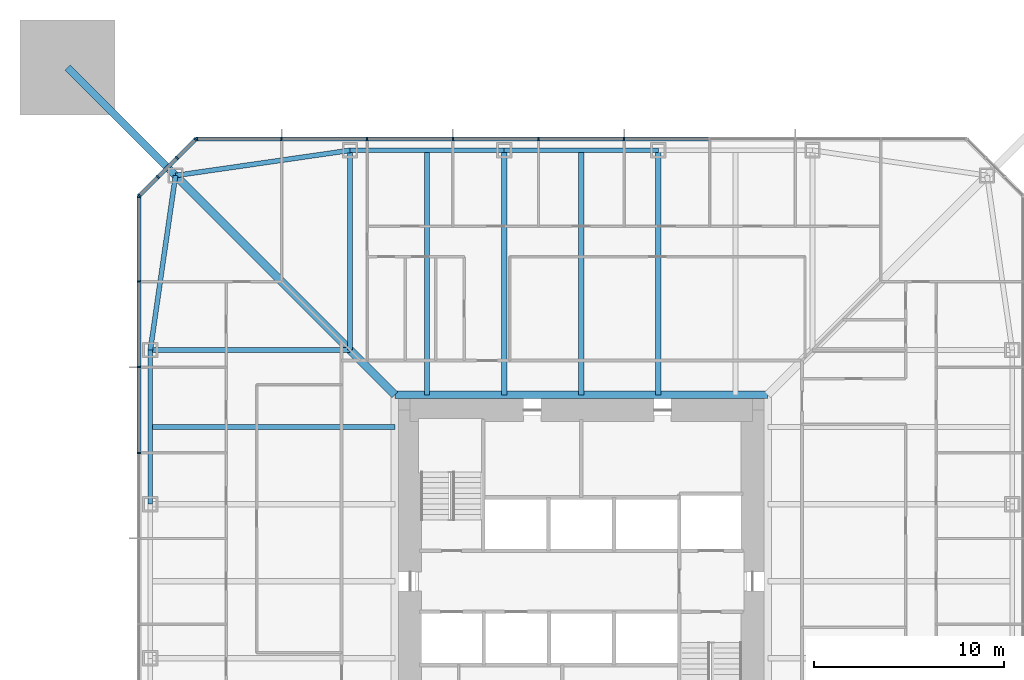
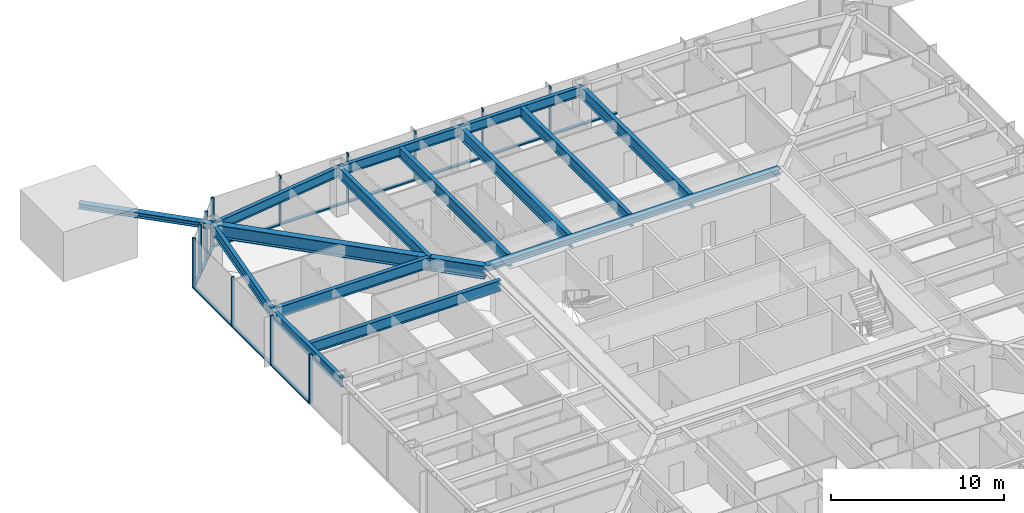
# One storey, part 6 of 26: 27 members, 14 beams, 3 elements without a shape of their own.
"""IFC4 building model written with IfcOpenShell, lengths in metres."""

from ifc_helpers import new_model, si_unit, direction, frame, origin, origin_2d, place, context, subcontext, project, spatial, rectangle, i_section, extrude, material, material_profile, profile_set, type_object, element, aggregate, save


model = new_model("IFC4")

# Units and contexts
model_context = context("Model", 3, precision=1e-05, world=origin(), true_north=direction((0.0, 1.0)))
body_context = subcontext(model_context, "Body", "Model", "MODEL_VIEW")
ifc_project = project(units=[si_unit("LENGTHUNIT", "METRE"), si_unit("AREAUNIT", "SQUARE_METRE"), si_unit("VOLUMEUNIT", "CUBIC_METRE"), si_unit("PLANEANGLEUNIT", "RADIAN"), si_unit("MASSUNIT", "GRAM", prefix="KILO")], contexts=[model_context])

# Site, building, storey
site_placement = place(None, origin())
site = spatial("IfcSite", under=ifc_project, at=site_placement, CompositionType="ELEMENT")
building_placement = place(site_placement, origin())
building = spatial("IfcBuilding", under=site, at=building_placement, Name="Iwan Alto Co-Living Towers", CompositionType="ELEMENT")
storey_placement = place(building_placement, frame((0.0, 0.0, 46.5)))
storey = spatial("IfcBuildingStorey", under=building, at=storey_placement, Name="L12", CompositionType="ELEMENT", Elevation=46.5)

# Curtain wall, members
ifc_material_1 = material(Name="Bronze aluminium unitised frame", Category="aluminium")
curtain_wall_type_1 = type_object("IfcCurtainWallType", Name="CURTAIN WALL CW-A", PredefinedType="NOTDEFINED", material=ifc_material_1)
curtain_wall_1_placement = place(storey_placement, origin())
curtain_wall_1 = element("IfcCurtainWall", 1, at=curtain_wall_1_placement, inside=storey, type_object=curtain_wall_type_1, Name="T1 curtain wall N L12", PredefinedType="NOTDEFINED")
ifc_material_2 = material(Name="Aluminium 6063-T6 bronze anodised", Category="aluminium")
ifc_material_profile_1 = material_profile(ifc_material_2, rectangle(XDim=0.199951171875, YDim=0.080078125, at=origin_2d()), Name="AL 80X200")
ifc_profile_set_1 = profile_set([ifc_material_profile_1], Name="Aluminium 6063-T6 bronze anodised")
member_type_1 = type_object("IfcMemberType", Name="CW-A MULLION 80X200", PredefinedType="MULLION", material=ifc_profile_set_1)
member_1_placement = place(storey_placement, frame((2.25, 23.25, 0.0), z_axis=(0.0, 0.0, 1.0), x_axis=(0.0, -1.0, 0.0)))
member_1 = element("IfcMember", 2, at=member_1_placement, type_object=member_type_1, Name="CW-A mullion 5", PredefinedType="MULLION", context=body_context, shape_type="SweptSolid", body=[
    extrude(rectangle(XDim=0.199951171875, YDim=0.080078125, at=origin_2d()), origin(), (0.0, 0.0, 1.0), 3.5),
])
member_2_placement = place(storey_placement, frame((-2.25, 23.25, 0.0), z_axis=(0.0, 0.0, 1.0), x_axis=(0.0, -1.0, 0.0)))
member_2 = element("IfcMember", 3, at=member_2_placement, type_object=member_type_1, Name="CW-A mullion 6", PredefinedType="MULLION", context=body_context, shape_type="SweptSolid", body=[
    extrude(rectangle(XDim=0.199951171875, YDim=0.080078125, at=origin_2d()), origin(), (0.0, 0.0, 1.0), 3.5),
])
member_3_placement = place(storey_placement, frame((-6.75, 23.25, 0.0), z_axis=(0.0, 0.0, 1.0), x_axis=(0.0, -1.0, 0.0)))
member_3 = element("IfcMember", 4, at=member_3_placement, type_object=member_type_1, Name="CW-A mullion 7", PredefinedType="MULLION", context=body_context, shape_type="SweptSolid", body=[
    extrude(rectangle(XDim=0.199951171875, YDim=0.080078125, at=origin_2d()), origin(), (0.0, 0.0, 1.0), 3.5),
])
member_4_placement = place(storey_placement, frame((-11.25, 23.25, 0.0), z_axis=(0.0, 0.0, 1.0), x_axis=(0.0, -1.0, 0.0)))
member_4 = element("IfcMember", 5, at=member_4_placement, type_object=member_type_1, Name="CW-A mullion 8", PredefinedType="MULLION", context=body_context, shape_type="SweptSolid", body=[
    extrude(rectangle(XDim=0.199951171875, YDim=0.080078125, at=origin_2d()), origin(), (0.0, 0.0, 1.0), 3.5),
])
member_5_placement = place(storey_placement, frame((-15.75, 23.25, 0.0), z_axis=(0.0, 0.0, 1.0), x_axis=(0.0, -1.0, 0.0)))
member_5 = element("IfcMember", 6, at=member_5_placement, type_object=member_type_1, Name="CW-A mullion 9", PredefinedType="MULLION", context=body_context, shape_type="SweptSolid", body=[
    extrude(rectangle(XDim=0.199951171875, YDim=0.080078125, at=origin_2d()), origin(), (0.0, 0.0, 1.0), 3.5),
])
member_6_placement = place(storey_placement, frame((-20.2099609375, 23.25, 0.0), z_axis=(0.0, 0.0, 1.0), x_axis=(0.0, -1.0, 0.0)))
member_6 = element("IfcMember", 7, at=member_6_placement, type_object=member_type_1, Name="CW-A mullion 10", PredefinedType="MULLION", context=body_context, shape_type="SweptSolid", body=[
    extrude(rectangle(XDim=0.199951171875, YDim=0.080078125, at=origin_2d()), origin(), (0.0, 0.0, 1.0), 3.5),
])

curtain_wall_2_placement = place(storey_placement, origin())
curtain_wall_2 = element("IfcCurtainWall", 8, at=curtain_wall_2_placement, inside=storey, type_object=curtain_wall_type_1, Name="T1 curtain wall W L12", PredefinedType="NOTDEFINED")
member_7_placement = place(storey_placement, frame((-23.25, 20.2099609375, 0.0), z_axis=(0.0, 0.0, 1.0), x_axis=(1.0, 0.0, 0.0)))
member_7 = element("IfcMember", 9, at=member_7_placement, type_object=member_type_1, Name="CW-A mullion 1", PredefinedType="MULLION", context=body_context, shape_type="SweptSolid", body=[
    extrude(rectangle(XDim=0.199951171875, YDim=0.080078125, at=origin_2d()), origin(), (0.0, 0.0, 1.0), 3.5),
])
member_8_placement = place(storey_placement, frame((-23.25, 15.75, 0.0), z_axis=(0.0, 0.0, 1.0), x_axis=(1.0, 0.0, 0.0)))
member_8 = element("IfcMember", 10, at=member_8_placement, type_object=member_type_1, Name="CW-A mullion 2", PredefinedType="MULLION", context=body_context, shape_type="SweptSolid", body=[
    extrude(rectangle(XDim=0.199951171875, YDim=0.080078125, at=origin_2d()), origin(), (0.0, 0.0, 1.0), 3.5),
])
member_9_placement = place(storey_placement, frame((-23.25, 11.25, 0.0), z_axis=(0.0, 0.0, 1.0), x_axis=(1.0, 0.0, 0.0)))
member_9 = element("IfcMember", 11, at=member_9_placement, type_object=member_type_1, Name="CW-A mullion 3", PredefinedType="MULLION", context=body_context, shape_type="SweptSolid", body=[
    extrude(rectangle(XDim=0.199951171875, YDim=0.080078125, at=origin_2d()), origin(), (0.0, 0.0, 1.0), 3.5),
])
member_10_placement = place(storey_placement, frame((-23.25, 6.75, 0.0), z_axis=(0.0, 0.0, 1.0), x_axis=(1.0, 0.0, 0.0)))
member_10 = element("IfcMember", 12, at=member_10_placement, type_object=member_type_1, Name="CW-A mullion 4", PredefinedType="MULLION", context=body_context, shape_type="SweptSolid", body=[
    extrude(rectangle(XDim=0.199951171875, YDim=0.080078125, at=origin_2d()), origin(), (0.0, 0.0, 1.0), 3.5),
])

# Member
ifc_material_3 = material(Name="Aluminium 6063-T6 bronze anodised", Category="aluminium")
ifc_material_profile_2 = material_profile(ifc_material_3, rectangle(XDim=0.199951171875, YDim=0.10009765625, at=origin_2d()), Name="AL 200X100")
ifc_profile_set_2 = profile_set([ifc_material_profile_2], Name="Aluminium 6063-T6 bronze anodised")
member_type_2 = type_object("IfcMemberType", Name="CW-A TRANSOM 200X100", PredefinedType="USERDEFINED", material=ifc_profile_set_2)
member_11_placement = place(storey_placement, frame((6.7099609375, 23.25, 0.050048828125), z_axis=(-1.0, 0.0, 0.0), x_axis=(0.0, -1.0, 0.0)))
member_11 = element("IfcMember", 13, at=member_11_placement, type_object=member_type_2, Name="CW-A transom 4.1", ObjectType="TRANSOM", PredefinedType="USERDEFINED", context=body_context, shape_type="SweptSolid", body=[
    extrude(rectangle(XDim=0.199951171875, YDim=0.10009765625, at=origin_2d()), origin(), (0.0, 0.0, 1.0), 4.419921875),
])

member_12_placement = place(storey_placement, frame((2.2099609375, 23.25, 0.050048828125), z_axis=(-1.0, 0.0, 0.0), x_axis=(0.0, -1.0, 0.0)))
member_12 = element("IfcMember", 14, at=member_12_placement, type_object=member_type_2, Name="CW-A transom 5.1", ObjectType="TRANSOM", PredefinedType="USERDEFINED", context=body_context, shape_type="SweptSolid", body=[
    extrude(rectangle(XDim=0.199951171875, YDim=0.10009765625, at=origin_2d()), origin(), (0.0, 0.0, 1.0), 4.419921875),
])

member_13_placement = place(storey_placement, frame((-2.2900390625, 23.25, 0.050048828125), z_axis=(-1.0, 0.0, 0.0), x_axis=(0.0, -1.0, 0.0)))
member_13 = element("IfcMember", 15, at=member_13_placement, type_object=member_type_2, Name="CW-A transom 6.1", ObjectType="TRANSOM", PredefinedType="USERDEFINED", context=body_context, shape_type="SweptSolid", body=[
    extrude(rectangle(XDim=0.199951171875, YDim=0.10009765625, at=origin_2d()), origin(), (0.0, 0.0, 1.0), 4.419921875),
])

member_14_placement = place(storey_placement, frame((-6.7900390625, 23.25, 0.050048828125), z_axis=(-1.0, 0.0, 0.0), x_axis=(0.0, -1.0, 0.0)))
member_14 = element("IfcMember", 16, at=member_14_placement, type_object=member_type_2, Name="CW-A transom 7.1", ObjectType="TRANSOM", PredefinedType="USERDEFINED", context=body_context, shape_type="SweptSolid", body=[
    extrude(rectangle(XDim=0.199951171875, YDim=0.10009765625, at=origin_2d()), origin(), (0.0, 0.0, 1.0), 4.419921875),
])

member_15_placement = place(storey_placement, frame((-11.2900390625, 23.25, 0.050048828125), z_axis=(-1.0, 0.0, 0.0), x_axis=(0.0, -1.0, 0.0)))
member_15 = element("IfcMember", 17, at=member_15_placement, type_object=member_type_2, Name="CW-A transom 8.1", ObjectType="TRANSOM", PredefinedType="USERDEFINED", context=body_context, shape_type="SweptSolid", body=[
    extrude(rectangle(XDim=0.199951171875, YDim=0.10009765625, at=origin_2d()), origin(), (0.0, 0.0, 1.0), 4.419921875),
])

member_16_placement = place(storey_placement, frame((-15.7900390625, 23.25, 0.050048828125), z_axis=(-1.0, 0.0, 0.0), x_axis=(0.0, -1.0, 0.0)))
member_16 = element("IfcMember", 18, at=member_16_placement, type_object=member_type_2, Name="CW-A transom 9.1", ObjectType="TRANSOM", PredefinedType="USERDEFINED", context=body_context, shape_type="SweptSolid", body=[
    extrude(rectangle(XDim=0.199951171875, YDim=0.10009765625, at=origin_2d()), origin(), (0.0, 0.0, 1.0), 4.3798828125),
])

aggregate(curtain_wall_1, [member_1, member_2, member_3, member_4, member_5, member_6, member_11, member_12, member_13, member_14, member_15, member_16])

member_17_placement = place(storey_placement, frame((-23.25, 20.169921875, 0.050048828125), z_axis=(0.0, -1.0, 0.0), x_axis=(1.0, 0.0, 0.0)))
member_17 = element("IfcMember", 19, at=member_17_placement, type_object=member_type_2, Name="CW-A transom 1.1", ObjectType="TRANSOM", PredefinedType="USERDEFINED", context=body_context, shape_type="SweptSolid", body=[
    extrude(rectangle(XDim=0.199951171875, YDim=0.10009765625, at=origin_2d()), origin(), (0.0, 0.0, 1.0), 4.3798828125),
])

member_18_placement = place(storey_placement, frame((-23.25, 15.7099609375, 0.050048828125), z_axis=(0.0, -1.0, 0.0), x_axis=(1.0, 0.0, 0.0)))
member_18 = element("IfcMember", 20, at=member_18_placement, type_object=member_type_2, Name="CW-A transom 2.1", ObjectType="TRANSOM", PredefinedType="USERDEFINED", context=body_context, shape_type="SweptSolid", body=[
    extrude(rectangle(XDim=0.199951171875, YDim=0.10009765625, at=origin_2d()), origin(), (0.0, 0.0, 1.0), 4.419921875),
])

member_19_placement = place(storey_placement, frame((-23.25, 11.2099609375, 0.050048828125), z_axis=(0.0, -1.0, 0.0), x_axis=(1.0, 0.0, 0.0)))
member_19 = element("IfcMember", 21, at=member_19_placement, type_object=member_type_2, Name="CW-A transom 3.1", ObjectType="TRANSOM", PredefinedType="USERDEFINED", context=body_context, shape_type="SweptSolid", body=[
    extrude(rectangle(XDim=0.199951171875, YDim=0.10009765625, at=origin_2d()), origin(), (0.0, 0.0, 1.0), 4.419921875),
])

aggregate(curtain_wall_2, [member_7, member_8, member_9, member_10, member_17, member_18, member_19])

# Curtain wall, members
ifc_material_4 = material(Name="Bronze aluminium unitised frame", Category="aluminium")
curtain_wall_type_2 = type_object("IfcCurtainWallType", Name="CURTAIN WALL CW-B", PredefinedType="NOTDEFINED", material=ifc_material_4)
curtain_wall_3_placement = place(storey_placement, origin())
curtain_wall_3 = element("IfcCurtainWall", 22, at=curtain_wall_3_placement, inside=storey, type_object=curtain_wall_type_2, Name="T1 chamfer curtain wall NW L12", PredefinedType="NOTDEFINED")
ifc_material_5 = material(Name="Aluminium 6063-T6 bronze anodised", Category="aluminium")
ifc_material_profile_3 = material_profile(ifc_material_5, rectangle(XDim=0.199951171875, YDim=0.080078125, at=origin_2d()), Name="AL 80X200")
ifc_profile_set_3 = profile_set([ifc_material_profile_3], Name="Aluminium 6063-T6 bronze anodised")
member_type_3 = type_object("IfcMemberType", Name="CW-B MULLION 80X200", PredefinedType="MULLION", material=ifc_profile_set_3)
member_20_placement = place(storey_placement, frame((-20.2783203125, 23.2216796875, 0.0), z_axis=(0.0, 0.0, 1.0), x_axis=(0.707106781187, -0.707106781187, 0.0)))
member_20 = element("IfcMember", 23, at=member_20_placement, type_object=member_type_3, Name="CW-B mullion 1", PredefinedType="MULLION", context=body_context, shape_type="SweptSolid", body=[
    extrude(rectangle(XDim=0.199951171875, YDim=0.080078125, at=origin_2d()), origin(), (0.0, 0.0, 1.0), 3.5),
])
member_21_placement = place(storey_placement, frame((-21.25, 22.25, 0.0), z_axis=(0.0, 0.0, 1.0), x_axis=(0.707106781187, -0.707106781187, 0.0)))
member_21 = element("IfcMember", 24, at=member_21_placement, type_object=member_type_3, Name="CW-B mullion 2", PredefinedType="MULLION", context=body_context, shape_type="SweptSolid", body=[
    extrude(rectangle(XDim=0.199951171875, YDim=0.080078125, at=origin_2d()), origin(), (0.0, 0.0, 1.0), 3.5),
])
member_22_placement = place(storey_placement, frame((-22.25, 21.25, 0.0), z_axis=(0.0, 0.0, 1.0), x_axis=(0.707106781187, -0.707106781187, 0.0)))
member_22 = element("IfcMember", 25, at=member_22_placement, type_object=member_type_3, Name="CW-B mullion 3", PredefinedType="MULLION", context=body_context, shape_type="SweptSolid", body=[
    extrude(rectangle(XDim=0.199951171875, YDim=0.080078125, at=origin_2d()), origin(), (0.0, 0.0, 1.0), 3.5),
])
member_23_placement = place(storey_placement, frame((-23.2216796875, 20.2783203125, 0.0), z_axis=(0.0, 0.0, 1.0), x_axis=(0.707106781187, -0.707106781187, 0.0)))
member_23 = element("IfcMember", 26, at=member_23_placement, type_object=member_type_3, Name="CW-B mullion 4", PredefinedType="MULLION", context=body_context, shape_type="SweptSolid", body=[
    extrude(rectangle(XDim=0.199951171875, YDim=0.080078125, at=origin_2d()), origin(), (0.0, 0.0, 1.0), 3.5),
])
ifc_material_6 = material(Name="Aluminium 6063-T6 bronze anodised", Category="aluminium")
ifc_material_profile_4 = material_profile(ifc_material_6, rectangle(XDim=0.199951171875, YDim=0.10009765625, at=origin_2d()), Name="AL 200X100")
ifc_profile_set_4 = profile_set([ifc_material_profile_4], Name="Aluminium 6063-T6 bronze anodised")
member_type_4 = type_object("IfcMemberType", Name="CW-B TRANSOM 200X100", PredefinedType="USERDEFINED", material=ifc_profile_set_4)
member_24_placement = place(storey_placement, frame((-20.306640625, 23.193359375, 0.050048828125), z_axis=(-0.707106781187, -0.707106781187, 0.0), x_axis=(0.707106781187, -0.707106781187, 0.0)))
member_24 = element("IfcMember", 27, at=member_24_placement, type_object=member_type_4, Name="CW-B transom 1.1", ObjectType="TRANSOM", PredefinedType="USERDEFINED", context=body_context, shape_type="SweptSolid", body=[
    extrude(rectangle(XDim=0.199951171875, YDim=0.10009765625, at=origin_2d()), origin(), (0.0, 0.0, 1.0), 1.2939453125),
])
member_25_placement = place(storey_placement, frame((-21.2783203125, 22.2216796875, 0.050048828125), z_axis=(-0.707106781187, -0.707106781187, 0.0), x_axis=(0.707106781187, -0.707106781187, 0.0)))
member_25 = element("IfcMember", 28, at=member_25_placement, type_object=member_type_4, Name="CW-B transom 2.1", ObjectType="TRANSOM", PredefinedType="USERDEFINED", context=body_context, shape_type="SweptSolid", body=[
    extrude(rectangle(XDim=0.199951171875, YDim=0.10009765625, at=origin_2d()), origin(), (0.0, 0.0, 1.0), 1.334228515625),
])
member_26_placement = place(storey_placement, frame((-22.2783203125, 21.2216796875, 0.050048828125), z_axis=(-0.707106781187, -0.707106781187, 0.0), x_axis=(0.707106781187, -0.707106781187, 0.0)))
member_26 = element("IfcMember", 29, at=member_26_placement, type_object=member_type_4, Name="CW-B transom 3.1", ObjectType="TRANSOM", PredefinedType="USERDEFINED", context=body_context, shape_type="SweptSolid", body=[
    extrude(rectangle(XDim=0.199951171875, YDim=0.10009765625, at=origin_2d()), origin(), (0.0, 0.0, 1.0), 1.2939453125),
])
aggregate(curtain_wall_3, [member_20, member_21, member_22, member_23, member_24, member_25, member_26])

# Beams
ifc_material_7 = material(Name="Steel ASTM A992 Gr 50", Category="steel")
ifc_material_profile_5 = material_profile(ifc_material_7, i_section(OverallWidth=0.40380859375, OverallDepth=0.406494140625, WebThickness=0.027099609375, FlangeThickness=0.043701171875, at=origin_2d()), Name="W14X233")
ifc_profile_set_5 = profile_set([ifc_material_profile_5], Name="Steel ASTM A992 Gr 50")
beam_type_1 = type_object("IfcBeamType", Name="T1 CORE LEDGER BEAM W14X233", PredefinedType="BEAM", material=ifc_profile_set_5)
beam_1_placement = place(storey_placement, frame((9.802001953125, 9.802001953125, 3.06689453125), z_axis=(-1.0, 0.0, 0.0), x_axis=(0.0, -1.0, 0.0)))
element("IfcBeam", 30, at=beam_1_placement, inside=storey, type_object=beam_type_1, Name="T1 core ledger beam N L13", PredefinedType="BEAM", context=body_context, shape_type="SweptSolid", body=[
    extrude(i_section(OverallWidth=0.40380859375, OverallDepth=0.406494140625, WebThickness=0.027099609375, FlangeThickness=0.043701171875, at=origin_2d()), origin(), (0.0, 0.0, 1.0), 19.60400390625),
])
ifc_material_8 = material(Name="Steel ASTM A992 Gr 50", Category="steel")
ifc_material_profile_6 = material_profile(ifc_material_8, i_section(OverallWidth=0.419189453125, OverallDepth=0.927001953125, WebThickness=0.019287109375, FlangeThickness=0.031982421875, at=origin_2d()), Name="W36X231")
ifc_profile_set_6 = profile_set([ifc_material_profile_6], Name="Steel ASTM A992 Gr 50")
beam_type_2 = type_object("IfcBeamType", Name="T1 CORNER GIRDER W36X231", PredefinedType="BEAM", material=ifc_profile_set_6)
beam_2_placement = place(storey_placement, frame((-21.32568359375, 21.32568359375, 2.806396484375), z_axis=(0.707106781187, -0.707106781187, 0.0), x_axis=(0.707106781187, 0.707106781187, 0.0)))
element("IfcBeam", 31, at=beam_2_placement, inside=storey, type_object=beam_type_2, Name="T1 corner girder CNW L13", PredefinedType="BEAM", context=body_context, shape_type="SweptSolid", body=[
    extrude(i_section(OverallWidth=0.419189453125, OverallDepth=0.927001953125, WebThickness=0.019287109375, FlangeThickness=0.031982421875, at=origin_2d()), origin(), (0.0, 0.0, 1.0), 16.296875),
])
ifc_material_9 = material(Name="Steel ASTM A992 Gr 50", Category="steel")
ifc_material_profile_7 = material_profile(ifc_material_9, i_section(OverallWidth=0.25390625, OverallDepth=0.683349609375, WebThickness=0.012451171875, FlangeThickness=0.018798828125, at=origin_2d()), Name="W27X94")
ifc_profile_set_7 = profile_set([ifc_material_profile_7], Name="Steel ASTM A992 Gr 50")
beam_type_3 = type_object("IfcBeamType", Name="T1 EDGE BEAM W27X94", PredefinedType="BEAM", material=ifc_profile_set_7)
beam_3_placement = place(storey_placement, frame((4.050048828125, 22.64990234375, 2.928466796875), z_axis=(-1.0, 0.0, 0.0), x_axis=(0.0, -1.0, 0.0)))
element("IfcBeam", 32, at=beam_3_placement, inside=storey, type_object=beam_type_3, Name="T1 edge beam N2 L13", PredefinedType="BEAM", context=body_context, shape_type="SweptSolid", body=[
    extrude(i_section(OverallWidth=0.25390625, OverallDepth=0.683349609375, WebThickness=0.012451171875, FlangeThickness=0.018798828125, at=origin_2d()), origin(), (0.0, 0.0, 1.0), 8.10009765625),
])
beam_4_placement = place(storey_placement, frame((-4.050048828125, 22.64990234375, 2.928466796875), z_axis=(-1.0, 0.0, 0.0), x_axis=(0.0, -1.0, 0.0)))
element("IfcBeam", 33, at=beam_4_placement, inside=storey, type_object=beam_type_3, Name="T1 edge beam N3 L13", PredefinedType="BEAM", context=body_context, shape_type="SweptSolid", body=[
    extrude(i_section(OverallWidth=0.25390625, OverallDepth=0.683349609375, WebThickness=0.012451171875, FlangeThickness=0.018798828125, at=origin_2d()), origin(), (0.0, 0.0, 1.0), 8.099853515625),
])
for number, where, z_axis, x_axis, name in (
    (34, (-12.14990234375, 22.64990234375, 2.928466796875), (-0.989746234347, -0.142836940589, 0.0), (0.142836940589, -0.989746234347, 0.0), "T1 edge beam N4 L13"),
    (35, (-21.32568359375, 21.32568359375, 2.928466796875), (-0.142836940589, -0.989746234347, 0.0), (0.989746234347, -0.142836940589, 0.0), "T1 edge beam CNW L13"),
):
    element("IfcBeam", number, at=place(storey_placement, frame(where, z_axis=z_axis, x_axis=x_axis)), inside=storey, type_object=beam_type_3, Name=name, PredefinedType="BEAM", context=body_context, shape_type="SweptSolid", body=[
        extrude(i_section(OverallWidth=0.25390625, OverallDepth=0.683349609375, WebThickness=0.012451171875, FlangeThickness=0.018798828125, at=origin_2d()), origin(), (0.0, 0.0, 1.0), 9.270751953125),
    ])
beam_5_placement = place(storey_placement, frame((-22.64990234375, 12.14990234375, 2.928466796875), z_axis=(0.0, -1.0, 0.0), x_axis=(1.0, 0.0, 0.0)))
element("IfcBeam", 36, at=beam_5_placement, inside=storey, type_object=beam_type_3, Name="T1 edge beam W1 L13", PredefinedType="BEAM", context=body_context, shape_type="SweptSolid", body=[
    extrude(i_section(OverallWidth=0.25390625, OverallDepth=0.683349609375, WebThickness=0.012451171875, FlangeThickness=0.018798828125, at=origin_2d()), origin(), (0.0, 0.0, 1.0), 8.099853515625),
])

# Member
ifc_material_10 = material(Name="Steel ASTM A992 Gr 50", Category="steel")
ifc_material_profile_8 = material_profile(ifc_material_10, i_section(OverallWidth=0.393798828125, OverallDepth=0.3759765625, WebThickness=0.017333984375, FlangeThickness=0.027587890625, at=origin_2d()), Name="W14X145")
ifc_profile_set_8 = profile_set([ifc_material_profile_8], Name="Steel ASTM A992 Gr 50")
member_type_5 = type_object("IfcMemberType", Name="T1 MEGA COLUMN FLOOR TIE W14X145", PredefinedType="STRUT", material=ifc_profile_set_8)
member_27_placement = place(storey_placement, frame((-27.0, 27.0, 3.08203125), z_axis=(0.707106781187, -0.707106781187, 0.0), x_axis=(0.707106781187, 0.707106781187, 0.0)))
element("IfcMember", 37, at=member_27_placement, inside=storey, type_object=member_type_5, Name="T1 mega column floor tie NW L13", PredefinedType="STRUT", context=body_context, shape_type="SweptSolid", body=[
    extrude(i_section(OverallWidth=0.393798828125, OverallDepth=0.3759765625, WebThickness=0.017333984375, FlangeThickness=0.027587890625, at=origin_2d()), origin(), (0.0, 0.0, 1.0), 8.024658203125),
])

# Beams
ifc_material_11 = material(Name="Steel ASTM A992 Gr 50", Category="steel")
ifc_material_profile_9 = material_profile(ifc_material_11, i_section(OverallWidth=0.2666015625, OverallDepth=0.761962890625, WebThickness=0.014404296875, FlangeThickness=0.021484375, at=origin_2d()), Name="W30X116")
ifc_profile_set_9 = profile_set([ifc_material_profile_9], Name="Steel ASTM A992 Gr 50")
beam_type_4 = type_object("IfcBeamType", Name="T1 RADIAL BEAM W30X116", PredefinedType="BEAM", material=ifc_profile_set_9)
for number, where, z_axis, x_axis, name in (
    (38, (-12.14990234375, 22.64990234375, 2.888916015625), (0.0, -1.0, 0.0), (1.0, 0.0, 0.0), "T1 radial beam N4 L13"),
    (39, (-22.64990234375, 12.14990234375, 2.888916015625), (1.0, 0.0, 0.0), (0.0, 1.0, 0.0), "T1 radial beam W1 L13"),
):
    element("IfcBeam", number, at=place(storey_placement, frame(where, z_axis=z_axis, x_axis=x_axis)), inside=storey, type_object=beam_type_4, Name=name, PredefinedType="BEAM", context=body_context, shape_type="SweptSolid", body=[
        extrude(i_section(OverallWidth=0.2666015625, OverallDepth=0.761962890625, WebThickness=0.014404296875, FlangeThickness=0.021484375, at=origin_2d()), origin(), (0.0, 0.0, 1.0), 10.5),
    ])
ifc_material_12 = material(Name="Steel ASTM A992 Gr 50", Category="steel")
ifc_material_profile_10 = material_profile(ifc_material_12, i_section(OverallWidth=0.2919921875, OverallDepth=0.8408203125, WebThickness=0.0146484375, FlangeThickness=0.021728515625, at=origin_2d()), Name="W33X130")
ifc_profile_set_10 = profile_set([ifc_material_profile_10], Name="Steel ASTM A992 Gr 50")
beam_type_5 = type_object("IfcBeamType", Name="T1 RADIAL BEAM W33X130", PredefinedType="BEAM", material=ifc_profile_set_10)
for number, where, z_axis, x_axis, name in (
    (40, (4.050048828125, 22.64990234375, 2.849609375), (0.0, -1.0, 0.0), (1.0, 0.0, 0.0), "T1 radial beam N2 L13"),
    (41, (-4.050048828125, 22.64990234375, 2.849609375), (0.0, -1.0, 0.0), (1.0, 0.0, 0.0), "T1 radial beam N3 L13"),
):
    element("IfcBeam", number, at=place(storey_placement, frame(where, z_axis=z_axis, x_axis=x_axis)), inside=storey, type_object=beam_type_5, Name=name, PredefinedType="BEAM", context=body_context, shape_type="SweptSolid", body=[
        extrude(i_section(OverallWidth=0.2919921875, OverallDepth=0.8408203125, WebThickness=0.0146484375, FlangeThickness=0.021728515625, at=origin_2d()), origin(), (0.0, 0.0, 1.0), 12.847900390625),
    ])
ifc_material_13 = material(Name="Steel ASTM A992 Gr 50", Category="steel")
ifc_material_profile_11 = material_profile(ifc_material_13, i_section(OverallWidth=0.2666015625, OverallDepth=0.761962890625, WebThickness=0.014404296875, FlangeThickness=0.021484375, at=origin_2d()), Name="W30X116")
ifc_profile_set_11 = profile_set([ifc_material_profile_11], Name="Steel ASTM A992 Gr 50")
beam_type_6 = type_object("IfcBeamType", Name="T1 SECONDARY BEAM W30X116", PredefinedType="JOIST", material=ifc_profile_set_11)
for number, where, z_axis, x_axis, name in (
    (42, (0.0, 22.64990234375, 2.888916015625), (0.0, -1.0, 0.0), (1.0, 0.0, 0.0), "T1 secondary beam N2 L13"),
    (43, (-8.10009765625, 22.64990234375, 2.888916015625), (0.0, -1.0, 0.0), (1.0, 0.0, 0.0), "T1 secondary beam N3 L13"),
    (44, (-22.64990234375, 8.10009765625, 2.888916015625), (1.0, 0.0, 0.0), (0.0, 1.0, 0.0), "T1 secondary beam W1 L13"),
):
    element("IfcBeam", number, at=place(storey_placement, frame(where, z_axis=z_axis, x_axis=x_axis)), inside=storey, type_object=beam_type_6, Name=name, PredefinedType="JOIST", context=body_context, shape_type="SweptSolid", body=[
        extrude(i_section(OverallWidth=0.2666015625, OverallDepth=0.761962890625, WebThickness=0.014404296875, FlangeThickness=0.021484375, at=origin_2d()), origin(), (0.0, 0.0, 1.0), 12.847900390625),
    ])

save(model, "model.ifc")
